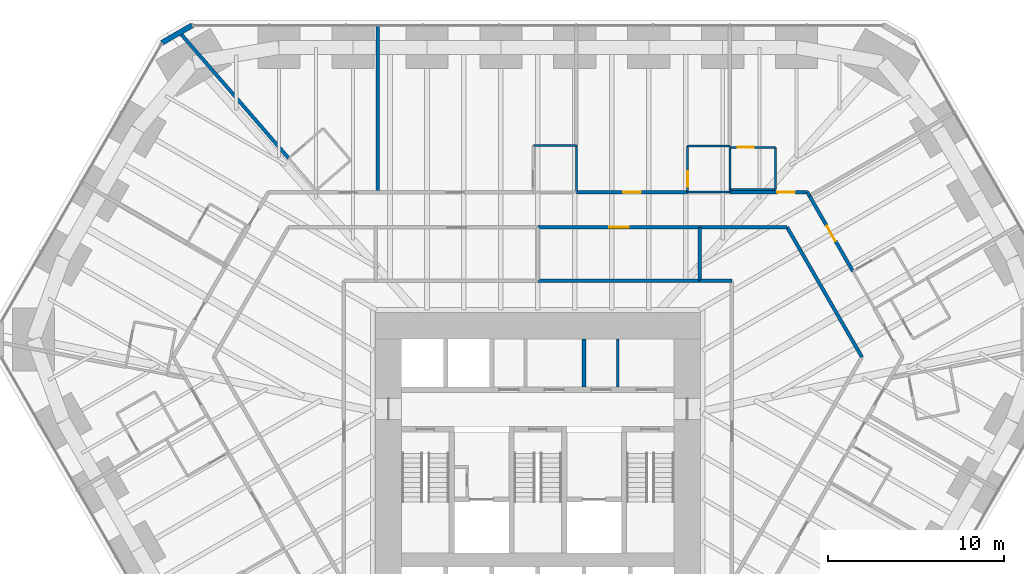
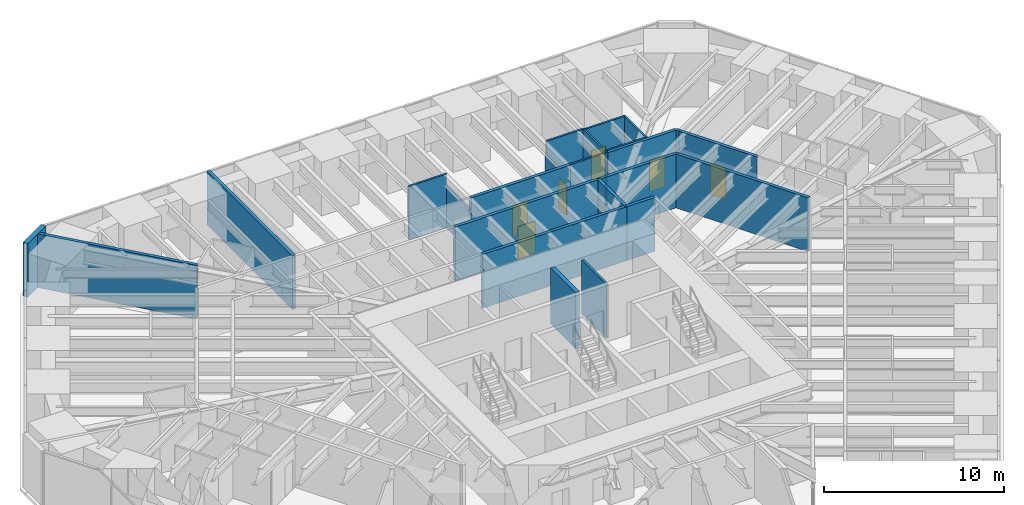
# One storey, part 15 of 17: 25 walls, 6 doors, 6 openings.
"""IFC4 building model written with IfcOpenShell, lengths in metres."""

from ifc_helpers import new_model, si_unit, direction, frame, frame_2d, origin, place, context, subcontext, project, spatial, rectangle, extrude, material, layer, layer_set, type_object, element, fill, save


model = new_model("IFC4")

# Units and contexts
model_context = context("Model", 3, precision=1e-05, world=origin(), true_north=direction((0.0, 1.0)))
body_context = subcontext(model_context, "Body", "Model", "MODEL_VIEW")
ifc_project = project(units=[si_unit("LENGTHUNIT", "METRE"), si_unit("AREAUNIT", "SQUARE_METRE"), si_unit("VOLUMEUNIT", "CUBIC_METRE"), si_unit("PLANEANGLEUNIT", "RADIAN"), si_unit("MASSUNIT", "GRAM", prefix="KILO")], contexts=[model_context])

# Site, building, storey
site_placement = place(None, origin())
site = spatial("IfcSite", under=ifc_project, at=site_placement, CompositionType="ELEMENT")
building_placement = place(site_placement, origin())
building = spatial("IfcBuilding", under=site, at=building_placement, Name="Sandreach Pilgrim Tower", CompositionType="ELEMENT")
storey_placement = place(building_placement, frame((0.0, 0.0, 53.39990234375)))
storey = spatial("IfcBuildingStorey", under=building, at=storey_placement, Name="L12", CompositionType="ELEMENT", Elevation=53.39990234375)

# Walls
ifc_material_1 = material(Name="Gypsum board on steel studs", Category="steel")
ifc_layer_1 = layer(ifc_material_1, 0.14990234375)
ifc_layer_set_1 = layer_set([ifc_layer_1], Name="Back of house wall 150")
wall_type_1 = type_object("IfcWallType", Name="Back of house wall 150", PredefinedType="PARTITIONING", material=ifc_layer_set_1)
wall_1_placement = place(storey_placement, frame((4.550048828125, 3.35009765625, 0.0), z_axis=(0.0, 0.0, 1.0), x_axis=(0.0, 1.0, 0.0)))
element("IfcWall", 1, at=wall_1_placement, inside=storey, type_object=wall_type_1, Name="Core room partition L12 2", PredefinedType="PARTITIONING", context=body_context, shape_type="SweptSolid", body=[
    extrude(rectangle(XDim=2.75, YDim=0.14990234375, at=frame_2d((1.375, 0.0))), origin(), (0.0, 0.0, 1.0), 3.64013671875),
])
ifc_material_2 = material(Name="Moisture-resistant gypsum board on steel studs", Category="steel")
ifc_layer_2 = layer(ifc_material_2, 0.1201171875)
ifc_layer_set_2 = layer_set([ifc_layer_2], Name="Bathroom partition 120")
wall_type_2 = type_object("IfcWallType", Name="Bathroom partition 120", PredefinedType="PARTITIONING", material=ifc_layer_set_2)
wall_2_placement = place(storey_placement, frame((2.18994140625, 17.10009765625, 0.0), z_axis=(0.0, 0.0, 1.0), x_axis=(-1.0, 0.0, 0.0)))
element("IfcWall", 2, at=wall_2_placement, inside=storey, type_object=wall_type_2, Name="Bathroom partition L12-085", PredefinedType="PARTITIONING", context=body_context, shape_type="SweptSolid", body=[
    extrude(rectangle(XDim=2.449951171875, YDim=0.1201171875, at=frame_2d((1.22509765625, 0.0))), origin(), (0.0, 0.0, 1.0), 3.64013671875),
])
wall_3_placement = place(storey_placement, frame((2.18994140625, 17.10009765625, 0.0), z_axis=(0.0, 0.0, 1.0), x_axis=(0.0, -1.0, 0.0)))
element("IfcWall", 3, at=wall_3_placement, inside=storey, type_object=wall_type_2, Name="Bathroom partition L12-086", PredefinedType="PARTITIONING", context=body_context, shape_type="SweptSolid", body=[
    extrude(rectangle(XDim=2.650146484375, YDim=0.1201171875, at=frame_2d((1.3251953125, 0.0))), origin(), (0.0, 0.0, 1.0), 2.878173828125),
])

# Wall, opening, door
wall_4_placement = place(storey_placement, frame((8.530029296875, 17.070068359375, 0.0), z_axis=(0.0, 0.0, 1.0), x_axis=(0.0, -1.0, 0.0)))
wall_4 = element("IfcWall", 4, at=wall_4_placement, inside=storey, type_object=wall_type_2, Name="Bathroom partition L12-105", PredefinedType="PARTITIONING", context=body_context, shape_type="SweptSolid", body=[
    extrude(rectangle(XDim=2.6201171875, YDim=0.1201171875, at=frame_2d((1.31005859375, 0.0))), origin(), (0.0, 0.0, 1.0), 2.878173828125),
])
opening_1_placement = place(wall_4_placement, frame((1.419921875, 0.0, 0.0)))
opening_1 = element("IfcOpeningElement", 5, at=opening_1_placement, cuts=wall_4, Name="Opening D09-03B", PredefinedType="OPENING", context=body_context, shape_type="SweptSolid", body=[
    extrude(rectangle(XDim=0.89990234375, YDim=2.030029296875, at=frame_2d((0.449951171875, 1.01513671875))), frame((0.0, 0.06005859375, 0.0), z_axis=(0.0, -1.0, 0.0), x_axis=(1.0, 0.0, 0.0)), (0.0, 0.0, 1.0), 0.1201171875),
])
ifc_material_3 = material(Name="Timber door, steel frame", Category="steel")
door_type_1 = type_object("IfcDoorType", Name="Bathroom door", OperationType="SINGLE_SWING_LEFT", PredefinedType="DOOR", material=ifc_material_3)
door_1_placement = place(opening_1_placement, origin())
door_1 = element("IfcDoor", 6, at=door_1_placement, inside=storey, type_object=door_type_1, Name="Door 1203B", OperationType="SINGLE_SWING_RIGHT", OverallHeight=2.030029296875, OverallWidth=0.89990234375, PredefinedType="DOOR", context=body_context, shape_type="SweptSolid", body=[
    extrude(rectangle(XDim=0.89990234375, YDim=2.030029296875, at=frame_2d((0.449951171875, 1.01513671875))), frame((0.0, 0.02490234375, 0.0), z_axis=(0.0, -1.0, 0.0), x_axis=(1.0, 0.0, 0.0)), (0.0, 0.0, 1.0), 0.050048828125),
])
fill(opening_1, door_1)

# Walls
wall_5_placement = place(storey_placement, frame((10.929931640625, 14.449951171875, 0.0), z_axis=(0.0, 0.0, 1.0), x_axis=(-1.0, 0.0, 0.0)))
element("IfcWall", 7, at=wall_5_placement, inside=storey, type_object=wall_type_2, Name="Bathroom partition L12-115", PredefinedType="PARTITIONING", context=body_context, shape_type="SweptSolid", body=[
    extrude(rectangle(XDim=2.39990234375, YDim=0.1201171875, at=frame_2d((1.199951171875, 0.0))), origin(), (0.0, 0.0, 1.0), 3.64013671875),
])
wall_6_placement = place(storey_placement, frame((10.929931640625, 14.60009765625, 0.0), z_axis=(0.0, 0.0, 1.0), x_axis=(0.0, -1.0, 0.0)))
element("IfcWall", 8, at=wall_6_placement, inside=storey, type_object=wall_type_2, Name="Bathroom partition L12-116", PredefinedType="PARTITIONING", context=body_context, shape_type="SweptSolid", body=[
    extrude(rectangle(XDim=0.150146484375, YDim=0.1201171875, at=frame_2d((0.0751953125, 0.0))), origin(), (0.0, 0.0, 1.0), 3.64013671875),
])
wall_7_placement = place(storey_placement, frame((10.929931640625, 14.60009765625, 0.0), z_axis=(0.0, 0.0, 1.0), x_axis=(1.0, 0.0, 0.0)))
element("IfcWall", 9, at=wall_7_placement, inside=storey, type_object=wall_type_2, Name="Bathroom partition L12-117", PredefinedType="PARTITIONING", context=body_context, shape_type="SweptSolid", body=[
    extrude(rectangle(XDim=2.60009765625, YDim=0.1201171875, at=frame_2d((1.300048828125, 0.0))), origin(), (0.0, 0.0, 1.0), 3.64013671875),
])
for number, where, z_axis, x_axis, name in (
    (10, (10.929931640625, 17.0, 0.0), (0.0, 0.0, 1.0), (0.0, -1.0, 0.0), "Bathroom partition L12-118"),
    (11, (10.929931640625, 17.070068359375, 0.0), (0.0, 0.0, 1.0), (-1.0, 0.0, 0.0), "Bathroom partition L12-119"),
    (12, (13.530029296875, 14.60009765625, 0.0), (0.0, 0.0, 1.0), (0.0, 1.0, 0.0), "Bathroom partition L12-128"),
):
    element("IfcWall", number, at=place(storey_placement, frame(where, z_axis=z_axis, x_axis=x_axis)), inside=storey, type_object=wall_type_2, Name=name, PredefinedType="PARTITIONING", context=body_context, shape_type="SweptSolid", body=[
        extrude(rectangle(XDim=2.39990234375, YDim=0.1201171875, at=frame_2d((1.199951171875, 0.0))), origin(), (0.0, 0.0, 1.0), 3.64013671875),
    ])

# Wall, opening, door
wall_8_placement = place(storey_placement, frame((13.530029296875, 17.0, 0.0), z_axis=(0.0, 0.0, 1.0), x_axis=(-1.0, 0.0, 0.0)))
wall_8 = element("IfcWall", 13, at=wall_8_placement, inside=storey, type_object=wall_type_2, Name="Bathroom partition L12-129", PredefinedType="PARTITIONING", context=body_context, shape_type="SweptSolid", body=[
    extrude(rectangle(XDim=2.60009765625, YDim=0.1201171875, at=frame_2d((1.300048828125, 0.0))), origin(), (0.0, 0.0, 1.0), 3.64013671875),
])
opening_2_placement = place(wall_8_placement, frame((1.25, 0.0, 0.0)))
opening_2 = element("IfcOpeningElement", 14, at=opening_2_placement, cuts=wall_8, Name="Opening D09-04B", PredefinedType="OPENING", context=body_context, shape_type="SweptSolid", body=[
    extrude(rectangle(XDim=0.89990234375, YDim=2.030029296875, at=frame_2d((0.449951171875, 1.01513671875))), frame((0.0, 0.06005859375, 0.0), z_axis=(0.0, -1.0, 0.0), x_axis=(1.0, 0.0, 0.0)), (0.0, 0.0, 1.0), 0.1201171875),
])
door_2_placement = place(opening_2_placement, origin())
door_2 = element("IfcDoor", 15, at=door_2_placement, inside=storey, type_object=door_type_1, Name="Door 1204B", OperationType="SINGLE_SWING_RIGHT", OverallHeight=2.030029296875, OverallWidth=0.89990234375, PredefinedType="DOOR", context=body_context, shape_type="SweptSolid", body=[
    extrude(rectangle(XDim=0.89990234375, YDim=2.030029296875, at=frame_2d((0.449951171875, 1.01513671875))), frame((0.0, 0.02490234375, 0.0), z_axis=(0.0, -1.0, 0.0), x_axis=(1.0, 0.0, 0.0)), (0.0, 0.0, 1.0), 0.050048828125),
])
fill(opening_2, door_2)

ifc_material_4 = material(Name="Gypsum board on steel studs, two layers each side", Category="steel")
ifc_layer_3 = layer(ifc_material_4, 0.199951171875)
ifc_layer_set_3 = layer_set([ifc_layer_3], Name="Corridor wall 200")
wall_type_3 = type_object("IfcWallType", Name="Corridor wall 200", PredefinedType="PARTITIONING", material=ifc_layer_set_3)
wall_9_placement = place(storey_placement, frame((0.0, 12.449951171875, 0.0), z_axis=(0.0, 0.0, 1.0), x_axis=(1.0, 0.0, 0.0)))
wall_9 = element("IfcWall", 16, at=wall_9_placement, inside=storey, type_object=wall_type_3, Name="Corridor wall L12-081", PredefinedType="PARTITIONING", context=body_context, shape_type="SweptSolid", body=[
    extrude(rectangle(XDim=9.22998046875, YDim=0.199951171875, at=frame_2d((4.614990234375, 0.0))), origin(), (0.0, 0.0, 1.0), 3.64013671875),
])
opening_3_placement = place(wall_9_placement, frame((4.06494140625, 0.0, 0.0)))
opening_3 = element("IfcOpeningElement", 17, at=opening_3_placement, cuts=wall_9, Name="Opening D11H-M03", PredefinedType="OPENING", context=body_context, shape_type="SweptSolid", body=[
    extrude(rectangle(XDim=1.10009765625, YDim=2.199951171875, at=frame_2d((0.550048828125, 1.10009765625))), frame((0.0, 0.10009765625, 0.0), z_axis=(0.0, -1.0, 0.0), x_axis=(1.0, 0.0, 0.0)), (0.0, 0.0, 1.0), 0.199951171875),
])
ifc_material_5 = material(Name="Steel door and frame", Category="steel")
door_type_2 = type_object("IfcDoorType", Name="Back of house door", OperationType="SINGLE_SWING_LEFT", PredefinedType="DOOR", material=ifc_material_5)
door_3_placement = place(opening_3_placement, origin())
door_3 = element("IfcDoor", 18, at=door_3_placement, inside=storey, type_object=door_type_2, Name="Door 12M03", OperationType="SINGLE_SWING_LEFT", OverallHeight=2.199951171875, OverallWidth=1.10009765625, PredefinedType="DOOR", context=body_context, shape_type="SweptSolid", body=[
    extrude(rectangle(XDim=1.10009765625, YDim=2.199951171875, at=frame_2d((0.550048828125, 1.10009765625))), frame((0.0, 0.02490234375, 0.0), z_axis=(0.0, -1.0, 0.0), x_axis=(1.0, 0.0, 0.0)), (0.0, 0.0, 1.0), 0.050048828125),
])
fill(opening_3, door_3)

wall_10_placement = place(storey_placement, frame((8.530029296875, 14.449951171875, 0.0), z_axis=(0.0, 0.0, 1.0), x_axis=(-1.0, 0.0, 0.0)))
wall_10 = element("IfcWall", 19, at=wall_10_placement, inside=storey, type_object=wall_type_3, Name="Corridor wall L12-104", PredefinedType="PARTITIONING", context=body_context, shape_type="SweptSolid", body=[
    extrude(rectangle(XDim=6.340087890625, YDim=0.199951171875, at=frame_2d((3.169921875, 0.0))), origin(), (0.0, 0.0, 1.0), 3.64013671875),
])
opening_4_placement = place(wall_10_placement, frame((2.669921875, 0.0, 0.0)))
opening_4 = element("IfcOpeningElement", 20, at=opening_4_placement, cuts=wall_10, Name="Opening D10-03", PredefinedType="OPENING", context=body_context, shape_type="SweptSolid", body=[
    extrude(rectangle(XDim=1.0, YDim=2.1298828125, at=frame_2d((0.5, 1.06494140625))), frame((0.0, 0.10009765625, 0.0), z_axis=(0.0, -1.0, 0.0), x_axis=(1.0, 0.0, 0.0)), (0.0, 0.0, 1.0), 0.199951171875),
])
ifc_material_6 = material(Name="Steel door and frame", Category="steel")
door_type_3 = type_object("IfcDoorType", Name="Guest room entry door", OperationType="SINGLE_SWING_LEFT", PredefinedType="DOOR", material=ifc_material_6)
door_4_placement = place(opening_4_placement, origin())
door_4 = element("IfcDoor", 21, at=door_4_placement, inside=storey, type_object=door_type_3, Name="Door 1203", OperationType="SINGLE_SWING_LEFT", OverallHeight=2.1298828125, OverallWidth=1.0, PredefinedType="DOOR", context=body_context, shape_type="SweptSolid", body=[
    extrude(rectangle(XDim=1.0, YDim=2.1298828125, at=frame_2d((0.5, 1.06494140625))), frame((0.0, 0.02490234375, 0.0), z_axis=(0.0, -1.0, 0.0), x_axis=(1.0, 0.0, 0.0)), (0.0, 0.0, 1.0), 0.050048828125),
])
fill(opening_4, door_4)

# Walls
wall_11_placement = place(storey_placement, frame((9.22998046875, 9.39990234375, 0.0), z_axis=(0.0, 0.0, 1.0), x_axis=(-1.0, 0.0, 0.0)))
element("IfcWall", 22, at=wall_11_placement, inside=storey, type_object=wall_type_3, Name="Corridor wall L12-107", PredefinedType="PARTITIONING", context=body_context, shape_type="SweptSolid", body=[
    extrude(rectangle(XDim=9.22998046875, YDim=0.199951171875, at=frame_2d((4.614990234375, 0.0))), origin(), (0.0, 0.0, 1.0), 3.64013671875),
])
wall_12_placement = place(storey_placement, frame((9.22998046875, 12.449951171875, 0.0), z_axis=(0.0, 0.0, 1.0), x_axis=(1.0, 0.0, 0.0)))
element("IfcWall", 23, at=wall_12_placement, inside=storey, type_object=wall_type_3, Name="Corridor wall L12-109", PredefinedType="PARTITIONING", context=body_context, shape_type="SweptSolid", body=[
    extrude(rectangle(XDim=4.9599609375, YDim=0.199951171875, at=frame_2d((2.47998046875, 0.0))), origin(), (0.0, 0.0, 1.0), 3.64013671875),
])
wall_13_placement = place(storey_placement, frame((11.0400390625, 9.39990234375, 0.0), z_axis=(0.0, 0.0, 1.0), x_axis=(-1.0, 0.0, 0.0)))
element("IfcWall", 24, at=wall_13_placement, inside=storey, type_object=wall_type_3, Name="Corridor wall L12-121", PredefinedType="PARTITIONING", context=body_context, shape_type="SweptSolid", body=[
    extrude(rectangle(XDim=1.81005859375, YDim=0.199951171875, at=frame_2d((0.905029296875, 0.0))), origin(), (0.0, 0.0, 1.0), 3.64013671875),
])
wall_14_placement = place(storey_placement, frame((14.18994140625, 12.449951171875, 0.0), z_axis=(0.0, 0.0, 1.0), x_axis=(0.499424260127, -0.866357552282, 0.0)))
element("IfcWall", 25, at=wall_14_placement, inside=storey, type_object=wall_type_3, Name="Corridor wall L12-130", PredefinedType="PARTITIONING", context=body_context, shape_type="SweptSolid", body=[
    extrude(rectangle(XDim=8.52978515625, YDim=0.199951171875, at=frame_2d((4.264892578125, 0.0))), origin(), (0.0, 0.0, 1.0), 3.64013671875),
])

# Wall, opening, door
wall_15_placement = place(storey_placement, frame((15.340087890625, 14.449951171875, 0.0), z_axis=(0.0, 0.0, 1.0), x_axis=(-1.0, 0.0, 0.0)))
wall_15 = element("IfcWall", 26, at=wall_15_placement, inside=storey, type_object=wall_type_3, Name="Corridor wall L12-133", PredefinedType="PARTITIONING", context=body_context, shape_type="SweptSolid", body=[
    extrude(rectangle(XDim=4.41015625, YDim=0.199951171875, at=frame_2d((2.205078125, 0.0))), origin(), (0.0, 0.0, 1.0), 3.64013671875),
])
opening_5_placement = place(wall_15_placement, frame((0.705078125, 0.0, 0.0)))
opening_5 = element("IfcOpeningElement", 27, at=opening_5_placement, cuts=wall_15, Name="Opening D10-04", PredefinedType="OPENING", context=body_context, shape_type="SweptSolid", body=[
    extrude(rectangle(XDim=1.0, YDim=2.1298828125, at=frame_2d((0.5, 1.06494140625))), frame((0.0, 0.10009765625, 0.0), z_axis=(0.0, -1.0, 0.0), x_axis=(1.0, 0.0, 0.0)), (0.0, 0.0, 1.0), 0.199951171875),
])
door_5_placement = place(opening_5_placement, origin())
door_5 = element("IfcDoor", 28, at=door_5_placement, inside=storey, type_object=door_type_3, Name="Door 1204", OperationType="SINGLE_SWING_LEFT", OverallHeight=2.1298828125, OverallWidth=1.0, PredefinedType="DOOR", context=body_context, shape_type="SweptSolid", body=[
    extrude(rectangle(XDim=1.0, YDim=2.1298828125, at=frame_2d((0.5, 1.06494140625))), frame((0.0, 0.02490234375, 0.0), z_axis=(0.0, -1.0, 0.0), x_axis=(1.0, 0.0, 0.0)), (0.0, 0.0, 1.0), 0.050048828125),
])
fill(opening_5, door_5)

wall_16_placement = place(storey_placement, frame((15.46728515625, 14.228515625, 0.0), z_axis=(0.0, 0.0, 1.0), x_axis=(0.499491884095, -0.866318565958, 0.0)))
wall_16 = element("IfcWall", 29, at=wall_16_placement, inside=storey, type_object=wall_type_3, Name="Corridor wall L12-134", PredefinedType="PARTITIONING", context=body_context, shape_type="SweptSolid", body=[
    extrude(rectangle(XDim=4.950439453125, YDim=0.199951171875, at=frame_2d((2.47509765625, 0.0))), origin(), (0.0, 0.0, 1.0), 3.64013671875),
])
opening_6_placement = place(wall_16_placement, frame((1.97509765625, 0.0, 0.0)))
opening_6 = element("IfcOpeningElement", 30, at=opening_6_placement, cuts=wall_16, Name="Opening D10-05", PredefinedType="OPENING", context=body_context, shape_type="SweptSolid", body=[
    extrude(rectangle(XDim=1.0, YDim=2.1298828125, at=frame_2d((0.5, 1.06494140625))), frame((0.0, 0.10009765625, 0.0), z_axis=(0.0, -1.0, 0.0), x_axis=(1.0, 0.0, 0.0)), (0.0, 0.0, 1.0), 0.199951171875),
])
door_6_placement = place(opening_6_placement, origin())
door_6 = element("IfcDoor", 31, at=door_6_placement, inside=storey, type_object=door_type_3, Name="Door 1205", OperationType="SINGLE_SWING_LEFT", OverallHeight=2.1298828125, OverallWidth=1.0, PredefinedType="DOOR", context=body_context, shape_type="SweptSolid", body=[
    extrude(rectangle(XDim=1.0, YDim=2.1298828125, at=frame_2d((0.5, 1.06494140625))), frame((0.0, 0.02490234375, 0.0), z_axis=(0.0, -1.0, 0.0), x_axis=(1.0, 0.0, 0.0)), (0.0, 0.0, 1.0), 0.050048828125),
])
fill(opening_6, door_6)

# Walls
wall_17_placement = place(storey_placement, frame((15.469970703125, 14.22998046875, 0.0), z_axis=(0.0, 0.0, 1.0), x_axis=(-0.508439495802, 0.861097717514, 0.0)))
element("IfcWall", 32, at=wall_17_placement, inside=storey, type_object=wall_type_3, Name="Corridor wall L12-135", PredefinedType="PARTITIONING", context=body_context, shape_type="SweptSolid", body=[
    extrude(rectangle(XDim=0.25537109375, YDim=0.199951171875, at=frame_2d((0.127685546875, 0.0))), origin(), (0.0, 0.0, 1.0), 3.64013671875),
])
ifc_material_7 = material(Name="Double steel stud acoustic wall, gypsum board", Category="steel")
ifc_layer_4 = layer(ifc_material_7, 0.199951171875)
ifc_layer_set_4 = layer_set([ifc_layer_4], Name="Party wall 200")
wall_type_4 = type_object("IfcWallType", Name="Party wall 200", PredefinedType="PARTITIONING", material=ifc_layer_set_4)
wall_18_placement = place(storey_placement, frame((-20.400390625, 23.54736328125, 0.0), z_axis=(0.0, 0.0, 1.0), x_axis=(0.65496775452, -0.75565682723, 0.0)))
element("IfcWall", 33, at=wall_18_placement, inside=storey, type_object=wall_type_4, Name="Party wall L12-019", PredefinedType="PARTITIONING", context=body_context, shape_type="SweptSolid", body=[
    extrude(rectangle(XDim=9.490234375, YDim=0.199951171875, at=frame_2d((4.7451171875, 0.0))), origin(), (0.0, 0.0, 1.0), 3.64013671875),
])
wall_19_placement = place(storey_placement, frame((-9.110107421875, 23.919921875, 0.0), z_axis=(0.0, 0.0, 1.0), x_axis=(0.0, -1.0, 0.0)))
element("IfcWall", 34, at=wall_19_placement, inside=storey, type_object=wall_type_4, Name="Party wall L12-057", PredefinedType="PARTITIONING", context=body_context, shape_type="SweptSolid", body=[
    extrude(rectangle(XDim=9.4599609375, YDim=0.199951171875, at=frame_2d((4.72998046875, 0.0))), origin(), (0.0, 0.0, 1.0), 3.64013671875),
])
wall_20_placement = place(storey_placement, frame((9.22998046875, 12.43994140625, 0.0), z_axis=(0.0, 0.0, 1.0), x_axis=(0.0, -1.0, 0.0)))
element("IfcWall", 35, at=wall_20_placement, inside=storey, type_object=wall_type_4, Name="Party wall L12-108", PredefinedType="PARTITIONING", context=body_context, shape_type="SweptSolid", body=[
    extrude(rectangle(XDim=3.02490234375, YDim=0.199951171875, at=frame_2d((1.512451171875, 0.0))), origin(), (0.0, 0.0, 1.0), 3.64013671875),
])
ifc_material_8 = material(Name="Gypsum shaft wall on steel studs, two layers of shaft liner board", Category="steel")
ifc_layer_5 = layer(ifc_material_8, 0.25)
ifc_layer_set_5 = layer_set([ifc_layer_5], Name="Shaft partition 250")
wall_type_5 = type_object("IfcWallType", Name="Shaft partition 250", PredefinedType="PARTITIONING", material=ifc_layer_set_5)
wall_21_placement = place(storey_placement, frame((2.625, 3.35009765625, 0.0), z_axis=(0.0, 0.0, 1.0), x_axis=(0.0, 1.0, 0.0)))
element("IfcWall", 36, at=wall_21_placement, inside=storey, type_object=wall_type_5, Name="Shaft partition NS3 L12", PredefinedType="PARTITIONING", context=body_context, shape_type="SweptSolid", body=[
    extrude(rectangle(XDim=2.75, YDim=0.25, at=frame_2d((1.375, 0.0))), origin(), (0.0, 0.0, 1.0), 3.800048828125),
])
ifc_material_9 = material(Name="Terracotta rainscreen on concrete", Category="masonry")
ifc_layer_6 = layer(ifc_material_9, 0.300048828125)
ifc_layer_set_6 = layer_set([ifc_layer_6], Name="Terracotta chamfer pier")
wall_type_6 = type_object("IfcWallType", Name="Terracotta chamfer pier", PredefinedType="SOLIDWALL", material=ifc_layer_set_6)
wall_22_placement = place(storey_placement, frame((-21.404052734375, 22.94873046875, 0.0), z_axis=(0.0, 0.0, 1.0), x_axis=(0.866010750942, 0.50002537861, 0.0)))
element("IfcWall", 37, at=wall_22_placement, inside=storey, type_object=wall_type_6, Name="Chamfer pier L12 NW", PredefinedType="SOLIDWALL", context=body_context, shape_type="SweptSolid", body=[
    extrude(rectangle(XDim=2.0, YDim=0.300048828125, at=frame_2d((1.0, 0.0))), origin(), (0.0, 0.0, 1.0), 3.64013671875),
])

save(model, "model.ifc")
